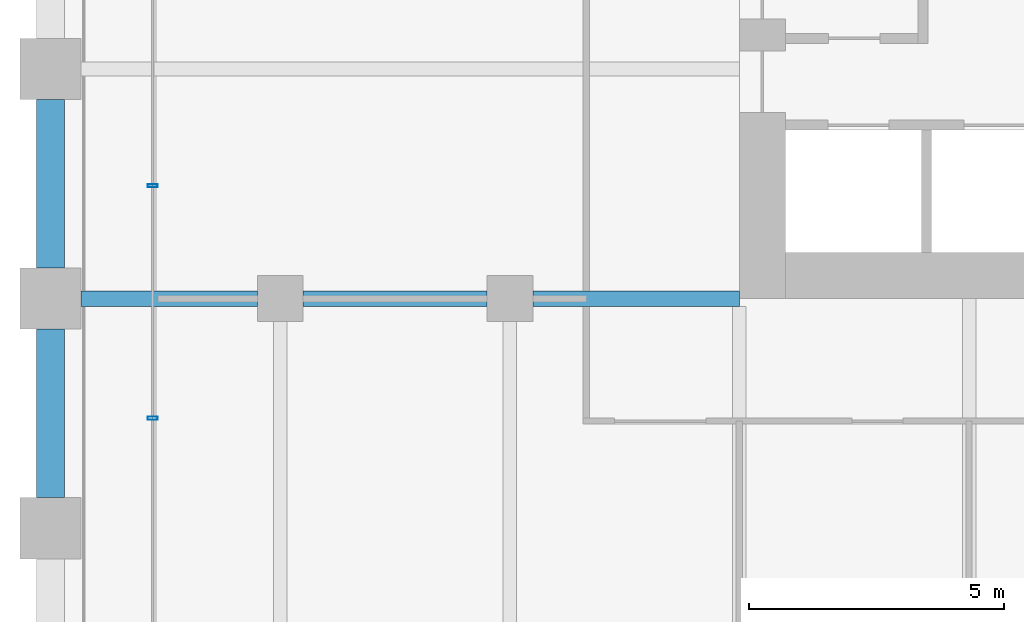
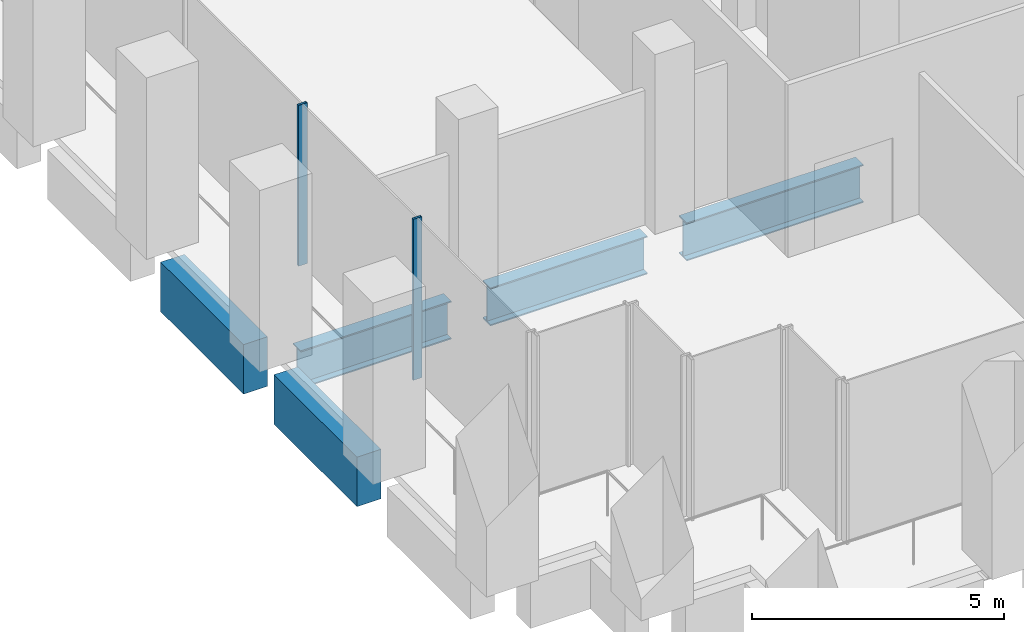
# One storey, part 4 of 36: 5 beams, 2 members, 1 element without a shape of its own.
"""IFC4 building model written with IfcOpenShell, lengths in metres."""

from ifc_helpers import new_model, si_unit, direction, frame, origin, origin_2d, place, context, subcontext, project, spatial, rectangle, hollow_rectangle, i_section, extrude, material, material_profile, profile_set, type_object, element, aggregate, save


model = new_model("IFC4")

# Units and contexts
model_context = context("Model", 3, precision=1e-05, world=origin(), true_north=direction((0.0, 1.0)))
body_context = subcontext(model_context, "Body", "Model", "MODEL_VIEW")
ifc_project = project(units=[si_unit("LENGTHUNIT", "METRE"), si_unit("AREAUNIT", "SQUARE_METRE"), si_unit("VOLUMEUNIT", "CUBIC_METRE"), si_unit("PLANEANGLEUNIT", "RADIAN"), si_unit("MASSUNIT", "GRAM", prefix="KILO")], contexts=[model_context])

# Site, building, storey
site_placement = place(None, origin())
site = spatial("IfcSite", under=ifc_project, at=site_placement, CompositionType="ELEMENT")
building_placement = place(site_placement, origin())
building = spatial("IfcBuilding", under=site, at=building_placement, Name="Altepetl Exchange Towers", CompositionType="ELEMENT")
storey_placement = place(building_placement, frame((0.0, 0.0, 29.800048828125)))
storey = spatial("IfcBuildingStorey", under=building, at=storey_placement, Name="L06", CompositionType="ELEMENT", Elevation=29.800048828125)

# Beams
ifc_material_1 = material(Name="Steel S355", Category="steel")
ifc_material_profile_1 = material_profile(ifc_material_1, i_section(OverallWidth=0.306884765625, OverallDepth=0.923095703125, WebThickness=0.018310546875, FlangeThickness=0.030029296875, at=origin_2d()), Name="W36X182")
ifc_profile_set_1 = profile_set([ifc_material_profile_1], Name="Steel S355")
beam_type_1 = type_object("IfcBeamType", Name="Girder W36X182", PredefinedType="BEAM", material=ifc_profile_set_1)
beam_1_placement = place(storey_placement, frame((40.5, 40.5, -0.636474609375), z_axis=(-1.0, 0.0, 0.0), x_axis=(0.0, -1.0, 0.0)))
element("IfcBeam", 1, at=beam_1_placement, inside=storey, type_object=beam_type_1, Name="gd:A:L06:009", PredefinedType="BEAM", context=body_context, shape_type="SweptSolid", body=[
    extrude(i_section(OverallWidth=0.306884765625, OverallDepth=0.923095703125, WebThickness=0.018310546875, FlangeThickness=0.030029296875, at=origin_2d()), origin(), (0.0, 0.0, 1.0), 4.050048828125),
])
beam_2_placement = place(storey_placement, frame((35.550048828125, 40.5, -0.636474609375), z_axis=(-1.0, 0.0, 0.0), x_axis=(0.0, -1.0, 0.0)))
element("IfcBeam", 2, at=beam_2_placement, inside=storey, type_object=beam_type_1, Name="gd:A:L06:010", PredefinedType="BEAM", context=body_context, shape_type="SweptSolid", body=[
    extrude(i_section(OverallWidth=0.306884765625, OverallDepth=0.923095703125, WebThickness=0.018310546875, FlangeThickness=0.030029296875, at=origin_2d()), origin(), (0.0, 0.0, 1.0), 3.60009765625),
])
beam_3_placement = place(storey_placement, frame((31.050048828125, 40.5, -0.636474609375), z_axis=(-1.0, 0.0, 0.0), x_axis=(0.0, -1.0, 0.0)))
element("IfcBeam", 3, at=beam_3_placement, inside=storey, type_object=beam_type_1, Name="gd:A:L06:011", PredefinedType="BEAM", context=body_context, shape_type="SweptSolid", body=[
    extrude(i_section(OverallWidth=0.306884765625, OverallDepth=0.923095703125, WebThickness=0.018310546875, FlangeThickness=0.030029296875, at=origin_2d()), origin(), (0.0, 0.0, 1.0), 3.449951171875),
])

# Curtain wall, members
ifc_material_2 = material(Name="Aluminium 6063-T6 glazing", Category="aluminium")
curtain_wall_type = type_object("IfcCurtainWallType", Name="Trading floor glazing system", PredefinedType="NOTDEFINED", material=ifc_material_2)
curtain_wall_placement = place(storey_placement, origin())
curtain_wall = element("IfcCurtainWall", 4, at=curtain_wall_placement, inside=storey, type_object=curtain_wall_type, Name="CW2 run", PredefinedType="NOTDEFINED")
ifc_material_3 = material(Name="Aluminium 6063-T6", Category="aluminium")
ifc_material_profile_2 = material_profile(ifc_material_3, hollow_rectangle(XDim=0.06005859375, YDim=0.199951171875, WallThickness=0.0029296875, at=origin_2d()), Name="Mullion 60x200 aluminium")
ifc_profile_set_2 = profile_set([ifc_material_profile_2], Name="Aluminium 6063-T6")
member_type = type_object("IfcMemberType", Name="Mullion 60x200 aluminium", PredefinedType="MULLION", material=ifc_profile_set_2)
member_1_placement = place(storey_placement, frame((29.0, 42.71435546875, 0.0), z_axis=(0.0, 0.0, 1.0), x_axis=(0.0, -1.0, 0.0)))
member_1 = element("IfcMember", 5, at=member_1_placement, type_object=member_type, Name="MU2 mullion", PredefinedType="MULLION", context=body_context, shape_type="SweptSolid", body=[
    extrude(hollow_rectangle(XDim=0.06005859375, YDim=0.199951171875, WallThickness=0.0029296875, at=origin_2d()), origin(), (0.0, 0.0, 1.0), 3.89990234375),
])
member_2_placement = place(storey_placement, frame((29.0, 38.1572265625, 0.0), z_axis=(0.0, 0.0, 1.0), x_axis=(0.0, -1.0, 0.0)))
member_2 = element("IfcMember", 6, at=member_2_placement, type_object=member_type, Name="MU2 mullion", PredefinedType="MULLION", context=body_context, shape_type="SweptSolid", body=[
    extrude(hollow_rectangle(XDim=0.06005859375, YDim=0.199951171875, WallThickness=0.0029296875, at=origin_2d()), origin(), (0.0, 0.0, 1.0), 3.89990234375),
])
aggregate(curtain_wall, [member_1, member_2])

# Beams
ifc_material_4 = material(Name="Concrete C50/60 precast with cantera blanca facing", Category="concrete")
ifc_material_profile_3 = material_profile(ifc_material_4, rectangle(XDim=0.550048828125, YDim=1.199951171875, at=origin_2d()), Name="550 x 1200")
ifc_profile_set_3 = profile_set([ifc_material_profile_3], Name="Concrete C50/60 precast with cantera blanca facing")
beam_type_2 = type_object("IfcBeamType", Name="Spandrel beam 550x1200 cantera blanca", PredefinedType="SPANDREL", material=ifc_profile_set_3)
beam_4_placement = place(storey_placement, frame((27.0, 39.89990234375, -0.775146484375), z_axis=(0.0, -1.0, 0.0), x_axis=(1.0, 0.0, 0.0)))
element("IfcBeam", 7, at=beam_4_placement, inside=storey, type_object=beam_type_2, Name="sp:A:L06:042", PredefinedType="SPANDREL", context=body_context, shape_type="SweptSolid", body=[
    extrude(rectangle(XDim=0.550048828125, YDim=1.199951171875, at=origin_2d()), origin(), (0.0, 0.0, 1.0), 3.2998046875),
])
ifc_material_5 = material(Name="Concrete C50/60 precast with tezontle facing", Category="concrete")
ifc_material_profile_4 = material_profile(ifc_material_5, rectangle(XDim=0.550048828125, YDim=1.199951171875, at=origin_2d()), Name="550 x 1200")
ifc_profile_set_4 = profile_set([ifc_material_profile_4], Name="Concrete C50/60 precast with tezontle facing")
beam_type_3 = type_object("IfcBeamType", Name="Spandrel beam 550x1200 tezontle", PredefinedType="SPANDREL", material=ifc_profile_set_4)
beam_5_placement = place(storey_placement, frame((27.0, 44.39990234375, -0.775146484375), z_axis=(0.0, -1.0, 0.0), x_axis=(1.0, 0.0, 0.0)))
element("IfcBeam", 8, at=beam_5_placement, inside=storey, type_object=beam_type_3, Name="sp:A:L06:041", PredefinedType="SPANDREL", context=body_context, shape_type="SweptSolid", body=[
    extrude(rectangle(XDim=0.550048828125, YDim=1.199951171875, at=origin_2d()), origin(), (0.0, 0.0, 1.0), 3.2998046875),
])

save(model, "model.ifc")
